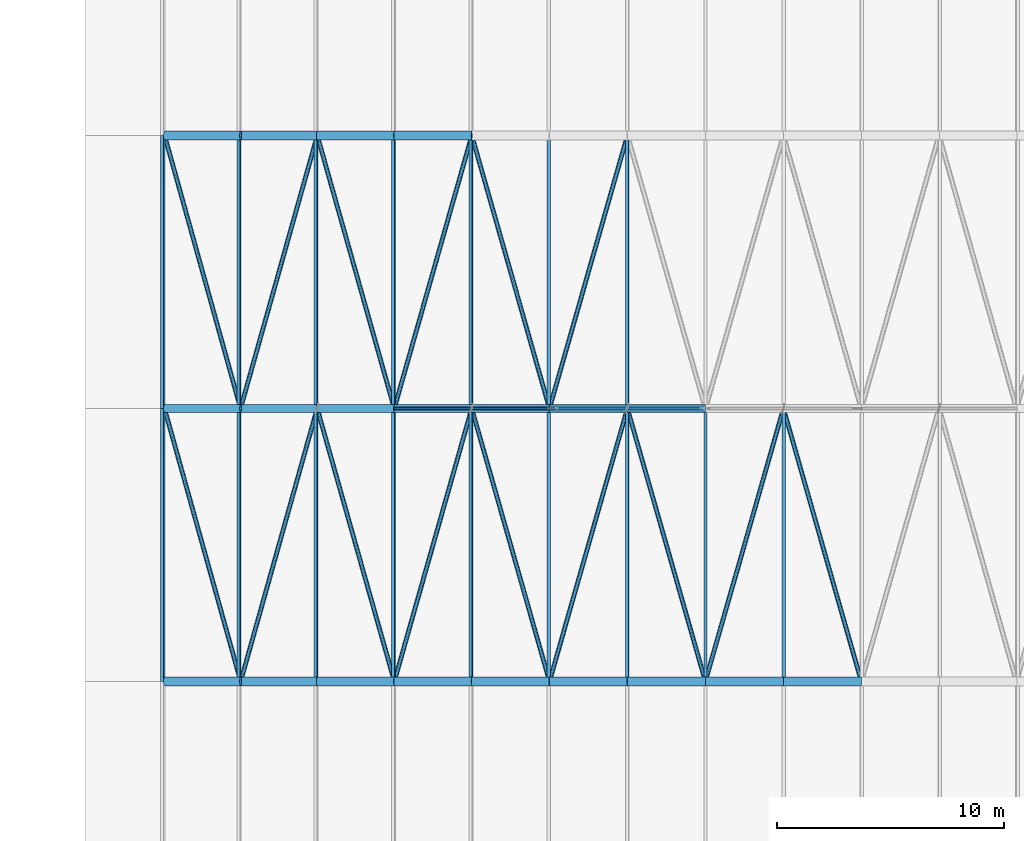
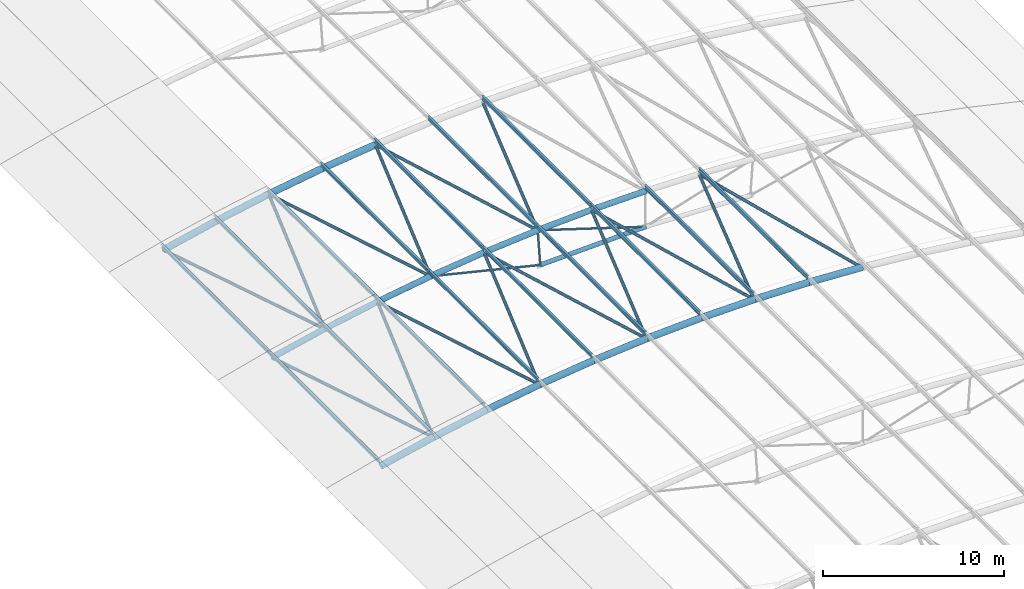
# One storey, part 12 of 91: 55 members.
"""IFC4 building model written with IfcOpenShell, lengths in metres."""

from ifc_helpers import new_model, si_unit, direction, frame, origin, origin_2d, place, context, subcontext, project, spatial, hollow_circle, i_section, extrude, material, material_profile, profile_set, type_object, element, save


model = new_model("IFC4")

# Units and contexts
model_context = context("Model", 3, precision=1e-05, world=origin(), true_north=direction((0.0, 1.0)))
body_context = subcontext(model_context, "Body", "Model", "MODEL_VIEW")
ifc_project = project(units=[si_unit("LENGTHUNIT", "METRE"), si_unit("AREAUNIT", "SQUARE_METRE"), si_unit("VOLUMEUNIT", "CUBIC_METRE"), si_unit("PLANEANGLEUNIT", "RADIAN"), si_unit("MASSUNIT", "GRAM", prefix="KILO")], contexts=[model_context])

# Site, building, storey
site_placement = place(None, origin())
site = spatial("IfcSite", under=ifc_project, at=site_placement, CompositionType="ELEMENT")
building_placement = place(site_placement, origin())
building = spatial("IfcBuilding", under=site, at=building_placement, Name="Ravi Spectrum Wholesale Market", CompositionType="ELEMENT")
storey_placement = place(building_placement, frame((0.0, 0.0, 16.199951171875)))
storey = spatial("IfcBuildingStorey", under=building, at=storey_placement, Name="ROOF PLANT LEVEL", CompositionType="ELEMENT", Elevation=16.199951171875)

# Members
ifc_material_1 = material(Name="Steel S355", Category="steel")
ifc_material_profile_1 = material_profile(ifc_material_1, hollow_circle(Radius=0.06982421875, WallThickness=0.0048828125, at=origin_2d()))
ifc_profile_set_1 = profile_set([ifc_material_profile_1], Name="Steel S355")
member_type_1 = type_object("IfcMemberType", Name="CHS 139.7x5 brace", PredefinedType="BRACE", material=ifc_profile_set_1)
member_1_placement = place(storey_placement, frame((56.318115234375, 114.0, 2.079833984375), z_axis=(0.97214359809, 0.0, -0.234386059083), x_axis=(0.0, 1.0, 0.0)))
element("IfcMember", 1, at=member_1_placement, inside=storey, type_object=member_type_1, Name="H1-MB-L02-636", PredefinedType="BRACE", context=body_context, shape_type="SweptSolid", body=[
    extrude(hollow_circle(Radius=0.06982421875, WallThickness=0.0048828125, at=origin_2d()), origin(), (0.0, 0.0, 1.0), 7.190185546875),
])
member_2_placement = place(storey_placement, frame((63.142822265625, 114.0, 2.788818359375), z_axis=(0.953666273238, 0.0, -0.300866480833), x_axis=(0.0, 1.0, 0.0)))
element("IfcMember", 2, at=member_2_placement, inside=storey, type_object=member_type_1, Name="H1-MB-L02-637", PredefinedType="BRACE", context=body_context, shape_type="SweptSolid", body=[
    extrude(hollow_circle(Radius=0.06982421875, WallThickness=0.0048828125, at=origin_2d()), origin(), (0.0, 0.0, 1.0), 7.1904296875),
])
ifc_material_2 = material(Name="Steel S355", Category="steel")
ifc_material_profile_2 = material_profile(ifc_material_2, hollow_circle(Radius=0.06982421875, WallThickness=0.0048828125, at=origin_2d()))
ifc_profile_set_2 = profile_set([ifc_material_profile_2], Name="Steel S355")
member_type_2 = type_object("IfcMemberType", Name="CHS 139.7x5 post", PredefinedType="POST", material=ifc_profile_set_2)
member_3_placement = place(storey_placement, frame((63.142822265625, 114.0, 2.788818359375), z_axis=(0.068868423963, 0.0, -0.997625751563), x_axis=(0.0, 1.0, 0.0)))
element("IfcMember", 3, at=member_3_placement, inside=storey, type_object=member_type_2, Name="H1-MB-L02-626", PredefinedType="POST", context=body_context, shape_type="SweptSolid", body=[
    extrude(hollow_circle(Radius=0.06982421875, WallThickness=0.0048828125, at=origin_2d()), origin(), (0.0, 0.0, 1.0), 2.39990234375),
])
ifc_material_3 = material(Name="Steel S355", Category="steel")
ifc_material_profile_3 = material_profile(ifc_material_3, hollow_circle(Radius=0.096923828125, WallThickness=0.00634765625, at=origin_2d()))
ifc_profile_set_3 = profile_set([ifc_material_profile_3], Name="Steel S355")
member_type_3 = type_object("IfcMemberType", Name="CHS 193.7x6.3 brace", PredefinedType="BRACE", material=ifc_profile_set_3)
for number, where, z_axis, x_axis, name in (
    (4, (46.213134765625, 114.0, 0.13916015625), (0.268458266113, -0.961473382103, 0.059153147532), (0.963159952785, 0.26892918278, 0.0), "H1-MB-L02-1637"),
    (5, (49.563720703125, 102.0, 0.87744140625), (0.269573425524, 0.961473986747, 0.053832527904), (-0.962870169495, 0.269964880489, 0.0), "H1-MB-L02-1638"),
):
    element("IfcMember", number, at=place(storey_placement, frame(where, z_axis=z_axis, x_axis=x_axis)), inside=storey, type_object=member_type_3, Name=name, PredefinedType="BRACE", context=body_context, shape_type="SweptSolid", body=[
        extrude(hollow_circle(Radius=0.096923828125, WallThickness=0.00634765625, at=origin_2d()), origin(), (0.0, 0.0, 1.0), 12.48095703125),
    ])
member_4_placement = place(storey_placement, frame((52.92822265625, 114.0, 1.54931640625), z_axis=(0.271882814956, -0.961478100635, 0.040491936611), x_axis=(0.962267289503, 0.272105978532, 0.0)))
element("IfcMember", 6, at=member_4_placement, inside=storey, type_object=member_type_3, Name="H1-MB-L02-1639", PredefinedType="BRACE", context=body_context, shape_type="SweptSolid", body=[
    extrude(hollow_circle(Radius=0.096923828125, WallThickness=0.00634765625, at=origin_2d()), origin(), (0.0, 0.0, 1.0), 12.480712890625),
])
member_5_placement = place(storey_placement, frame((56.321533203125, 102.0, 2.0546875), z_axis=(0.272644331553, 0.961473251867, 0.035131957201), x_axis=(-0.962067152996, 0.272812743702, 0.0)))
element("IfcMember", 7, at=member_5_placement, inside=storey, type_object=member_type_3, Name="H1-MB-L02-1640", PredefinedType="BRACE", context=body_context, shape_type="SweptSolid", body=[
    extrude(hollow_circle(Radius=0.096923828125, WallThickness=0.00634765625, at=origin_2d()), origin(), (0.0, 0.0, 1.0), 12.48095703125),
])
for number, where, z_axis, x_axis, name in (
    (8, (59.724365234375, 114.0, 2.4931640625), (0.274034013599, -0.9614761822, 0.021654340285), (0.961701684624, 0.27409828491, 0.0), "H1-MB-L02-1641"),
    (9, (63.14453125, 102.0, 2.763427734375), (0.274405792689, 0.961476584134, 0.016255432972), (-0.961603639168, 0.274442054245, 0.0), "H1-MB-L02-1642"),
    (10, (66.5693359375, 114.0, 2.96630859375), (0.274875137304, -0.961476142098, 0.002699456942), (0.961479645288, 0.274876138826, 0.0), "H1-MB-L02-1643"),
    (11, (70.0, 102.0, 3.0), (0.274875137304, 0.961476142098, -0.002699456942), (-0.961479645288, 0.274876138826, 0.0), "H1-MB-L02-1644"),
    (12, (73.4306640625, 114.0, 2.96630859375), (0.274405792689, -0.961476584134, -0.016255432972), (0.961603639168, 0.274442054245, 0.0), "H1-MB-L02-1645"),
):
    element("IfcMember", number, at=place(storey_placement, frame(where, z_axis=z_axis, x_axis=x_axis)), inside=storey, type_object=member_type_3, Name=name, PredefinedType="BRACE", context=body_context, shape_type="SweptSolid", body=[
        extrude(hollow_circle(Radius=0.096923828125, WallThickness=0.00634765625, at=origin_2d()), origin(), (0.0, 0.0, 1.0), 12.480712890625),
    ])
member_6_placement = place(storey_placement, frame((46.21923828125, 126.0, 0.114501953125), z_axis=(0.267558016602, -0.961471825707, 0.063123974234), x_axis=(0.963393127067, 0.268092675619, 0.0)))
element("IfcMember", 13, at=member_6_placement, inside=storey, type_object=member_type_3, Name="H1-MB-L02-1661", PredefinedType="BRACE", context=body_context, shape_type="SweptSolid", body=[
    extrude(hollow_circle(Radius=0.096923828125, WallThickness=0.00634765625, at=origin_2d()), origin(), (0.0, 0.0, 1.0), 12.48095703125),
])
for number, where, z_axis, x_axis, name in (
    (14, (49.55859375, 114.0, 0.90234375), (0.270336560063, 0.961474862535, 0.049842080683), (-0.962671356068, 0.270672976499, 0.0), "H1-MB-L02-1662"),
    (15, (52.9326171875, 126.0, 1.5244140625), (0.271256737802, -0.961477693548, 0.044501988786), (0.962431178207, 0.271525739506, 0.0), "H1-MB-L02-1663"),
    (16, (56.318115234375, 114.0, 2.079833984375), (0.273115259603, 0.961478387049, 0.0311025113), (-0.961943775579, 0.273247456759, 0.0), "H1-MB-L02-1664"),
):
    element("IfcMember", number, at=place(storey_placement, frame(where, z_axis=z_axis, x_axis=x_axis)), inside=storey, type_object=member_type_3, Name=name, PredefinedType="BRACE", context=body_context, shape_type="SweptSolid", body=[
        extrude(hollow_circle(Radius=0.096923828125, WallThickness=0.00634765625, at=origin_2d()), origin(), (0.0, 0.0, 1.0), 12.480712890625),
    ])
member_7_placement = place(storey_placement, frame((59.726806640625, 126.0, 2.468017578125), z_axis=(0.273700155863, -0.961471559533, 0.025703402287), x_axis=(0.961789322244, 0.273790612729, 0.0)))
element("IfcMember", 17, at=member_7_placement, inside=storey, type_object=member_type_3, Name="H1-MB-L02-1665", PredefinedType="BRACE", context=body_context, shape_type="SweptSolid", body=[
    extrude(hollow_circle(Radius=0.096923828125, WallThickness=0.00634765625, at=origin_2d()), origin(), (0.0, 0.0, 1.0), 12.48095703125),
])
member_8_placement = place(storey_placement, frame((63.142822265625, 114.0, 2.788818359375), z_axis=(0.274620635621, 0.961475424321, 0.012186669705), x_axis=(-0.961546828996, 0.274641030523, 0.0)))
element("IfcMember", 18, at=member_8_placement, inside=storey, type_object=member_type_3, Name="H1-MB-L02-1666", PredefinedType="BRACE", context=body_context, shape_type="SweptSolid", body=[
    extrude(hollow_circle(Radius=0.096923828125, WallThickness=0.00634765625, at=origin_2d()), origin(), (0.0, 0.0, 1.0), 12.480712890625),
])
ifc_material_4 = material(Name="Steel S355", Category="steel")
ifc_material_profile_4 = material_profile(ifc_material_4, hollow_circle(Radius=0.136474609375, WallThickness=0.010009765625, at=origin_2d()))
ifc_profile_set_4 = profile_set([ifc_material_profile_4], Name="Steel S355")
member_type_4 = type_object("IfcMemberType", Name="CHS 273x10 chord", PredefinedType="CHORD", material=ifc_profile_set_4)
member_9_placement = place(storey_placement, frame((63.30810546875, 114.0, 0.39453125), z_axis=(0.999404959621, 0.0, 0.034492414878), x_axis=(0.0, 1.0, 0.0)))
element("IfcMember", 19, at=member_9_placement, inside=storey, type_object=member_type_4, Name="H1-MB-L02-615", PredefinedType="CHORD", context=body_context, shape_type="SweptSolid", body=[
    extrude(hollow_circle(Radius=0.136474609375, WallThickness=0.010009765625, at=origin_2d()), origin(), (0.0, 0.0, 1.0), 6.69580078125),
])
ifc_material_5 = material(Name="Steel S355", Category="steel")
ifc_material_profile_5 = material_profile(ifc_material_5, hollow_circle(Radius=0.177734375, WallThickness=0.012451171875, at=origin_2d()))
ifc_profile_set_5 = profile_set([ifc_material_profile_5], Name="Steel S355")
member_type_5 = type_object("IfcMemberType", Name="CHS 355.6x12.5 chord", PredefinedType="CHORD", material=ifc_profile_set_5)
member_10_placement = place(storey_placement, frame((46.213134765625, 114.0, 0.13916015625), z_axis=(0.974952916083, 0.0, 0.222411356322), x_axis=(0.0, 1.0, 0.0)))
element("IfcMember", 20, at=member_10_placement, inside=storey, type_object=member_type_5, Name="H1-MB-L02-591", PredefinedType="CHORD", context=body_context, shape_type="SweptSolid", body=[
    extrude(hollow_circle(Radius=0.177734375, WallThickness=0.012451171875, at=origin_2d()), origin(), (0.0, 0.0, 1.0), 3.431396484375),
])
for number, where, z_axis, x_axis, name in (
    (21, (49.55859375, 114.0, 0.90234375), (0.982062230733, 0.0, 0.188557086759), (0.0, 1.0, 0.0), "H1-MB-L02-592"),
    (22, (52.92822265625, 114.0, 1.54931640625), (0.987974358509, 0.0, 0.154617809221), (0.0, 1.0, 0.0), "H1-MB-L02-593"),
    (23, (56.318115234375, 114.0, 2.079833984375), (0.992718062095, 0.0, 0.120460986176), (0.0, 1.0, 0.0), "H1-MB-L02-594"),
    (24, (59.724365234375, 114.0, 2.4931640625), (0.996280795756, 0.0, 0.086165979407), (0.0, 1.0, 0.0), "H1-MB-L02-595"),
    (25, (63.142822265625, 114.0, 2.788818359375), (0.998661121681, 0.0, 0.051729721087), (0.0, 1.0, 0.0), "H1-MB-L02-596"),
    (26, (66.5693359375, 114.0, 2.96630859375), (0.99985173868, 0.0, 0.017219194475), (0.0, 1.0, 0.0), "H1-MB-L02-597"),
):
    element("IfcMember", number, at=place(storey_placement, frame(where, z_axis=z_axis, x_axis=x_axis)), inside=storey, type_object=member_type_5, Name=name, PredefinedType="CHORD", context=body_context, shape_type="SweptSolid", body=[
        extrude(hollow_circle(Radius=0.177734375, WallThickness=0.012451171875, at=origin_2d()), origin(), (0.0, 0.0, 1.0), 3.43115234375),
    ])
ifc_material_6 = material(Name="Steel S355", Category="steel")
ifc_material_profile_6 = material_profile(ifc_material_6, hollow_circle(Radius=0.203125, WallThickness=0.01611328125, at=origin_2d()))
ifc_profile_set_6 = profile_set([ifc_material_profile_6], Name="Steel S355")
member_type_6 = type_object("IfcMemberType", Name="CHS 406.4x16 chord", PredefinedType="CHORD", material=ifc_profile_set_6)
for number, where, z_axis, x_axis, name in (
    (27, (46.21923828125, 102.0, 0.114501953125), (0.974954266394, 0.0, 0.222405437074), (0.0, 1.0, 0.0), "H1-MB-L02-492"),
    (28, (49.563720703125, 102.0, 0.87744140625), (0.982054639007, 0.0, 0.188596622463), (0.0, 1.0, 0.0), "H1-MB-L02-493"),
):
    element("IfcMember", number, at=place(storey_placement, frame(where, z_axis=z_axis, x_axis=x_axis)), inside=storey, type_object=member_type_6, Name=name, PredefinedType="CHORD", context=body_context, shape_type="SweptSolid", body=[
        extrude(hollow_circle(Radius=0.203125, WallThickness=0.01611328125, at=origin_2d()), origin(), (0.0, 0.0, 1.0), 3.430419921875),
    ])
for number, where, z_axis, x_axis, name in (
    (29, (52.9326171875, 102.0, 1.5244140625), (0.987978424514, 0.0, 0.154591826096), (0.0, 1.0, 0.0), "H1-MB-L02-494"),
    (30, (56.321533203125, 102.0, 2.0546875), (0.992713930418, 0.0, 0.120495030413), (0.0, 1.0, 0.0), "H1-MB-L02-495"),
):
    element("IfcMember", number, at=place(storey_placement, frame(where, z_axis=z_axis, x_axis=x_axis)), inside=storey, type_object=member_type_6, Name=name, PredefinedType="CHORD", context=body_context, shape_type="SweptSolid", body=[
        extrude(hollow_circle(Radius=0.203125, WallThickness=0.01611328125, at=origin_2d()), origin(), (0.0, 0.0, 1.0), 3.43017578125),
    ])
for number, where, z_axis, x_axis, name in (
    (31, (59.726806640625, 102.0, 2.468017578125), (0.99628531868, 0.0, 0.086113667805), (0.0, 1.0, 0.0), "H1-MB-L02-496"),
    (32, (63.14453125, 102.0, 2.763427734375), (0.998660550273, 0.0, 0.051740751144), (0.0, 1.0, 0.0), "H1-MB-L02-497"),
):
    element("IfcMember", number, at=place(storey_placement, frame(where, z_axis=z_axis, x_axis=x_axis)), inside=storey, type_object=member_type_6, Name=name, PredefinedType="CHORD", context=body_context, shape_type="SweptSolid", body=[
        extrude(hollow_circle(Radius=0.203125, WallThickness=0.01611328125, at=origin_2d()), origin(), (0.0, 0.0, 1.0), 3.430419921875),
    ])
for number, where, z_axis, x_axis, name in (
    (33, (66.5703125, 102.0, 2.94091796875), (0.999851654256, 0.0, 0.01722409598), (0.0, 1.0, 0.0), "H1-MB-L02-498"),
    (34, (70.0, 102.0, 3.0), (0.999851654256, 0.0, -0.01722409598), (0.0, 1.0, 0.0), "H1-MB-L02-499"),
):
    element("IfcMember", number, at=place(storey_placement, frame(where, z_axis=z_axis, x_axis=x_axis)), inside=storey, type_object=member_type_6, Name=name, PredefinedType="CHORD", context=body_context, shape_type="SweptSolid", body=[
        extrude(hollow_circle(Radius=0.203125, WallThickness=0.01611328125, at=origin_2d()), origin(), (0.0, 0.0, 1.0), 3.43017578125),
    ])
for number, where, z_axis, x_axis, name in (
    (35, (73.4296875, 102.0, 2.94091796875), (0.998660550273, 0.0, -0.051740751144), (0.0, 1.0, 0.0), "H1-MB-L02-500"),
    (36, (46.21923828125, 126.0, 0.114501953125), (0.974954266394, 0.0, 0.222405437074), (0.0, 1.0, 0.0), "H1-MB-L02-654"),
    (37, (49.563720703125, 126.0, 0.87744140625), (0.982054639007, 0.0, 0.188596622463), (0.0, 1.0, 0.0), "H1-MB-L02-655"),
):
    element("IfcMember", number, at=place(storey_placement, frame(where, z_axis=z_axis, x_axis=x_axis)), inside=storey, type_object=member_type_6, Name=name, PredefinedType="CHORD", context=body_context, shape_type="SweptSolid", body=[
        extrude(hollow_circle(Radius=0.203125, WallThickness=0.01611328125, at=origin_2d()), origin(), (0.0, 0.0, 1.0), 3.430419921875),
    ])
for number, where, z_axis, x_axis, name in (
    (38, (52.9326171875, 126.0, 1.5244140625), (0.987978424514, 0.0, 0.154591826096), (0.0, 1.0, 0.0), "H1-MB-L02-656"),
    (39, (56.321533203125, 126.0, 2.0546875), (0.992713930418, 0.0, 0.120495030413), (0.0, 1.0, 0.0), "H1-MB-L02-657"),
):
    element("IfcMember", number, at=place(storey_placement, frame(where, z_axis=z_axis, x_axis=x_axis)), inside=storey, type_object=member_type_6, Name=name, PredefinedType="CHORD", context=body_context, shape_type="SweptSolid", body=[
        extrude(hollow_circle(Radius=0.203125, WallThickness=0.01611328125, at=origin_2d()), origin(), (0.0, 0.0, 1.0), 3.43017578125),
    ])
ifc_material_7 = material(Name="Steel S355", Category="steel")
ifc_material_profile_7 = material_profile(ifc_material_7, i_section(OverallWidth=0.135009765625, OverallDepth=0.27001953125, WebThickness=0.006591796875, FlangeThickness=0.01025390625, at=origin_2d()))
ifc_profile_set_7 = profile_set([ifc_material_profile_7], Name="Steel S355")
member_type_7 = type_object("IfcMemberType", Name="IPE 270 purlin", PredefinedType="PURLIN", material=ifc_profile_set_7)
for number, where, z_axis, x_axis, name in (
    (40, (46.138427734375, 102.0, 0.44287109375), (0.0, 1.0, 0.0), (-0.970982506107, 0.0, -0.239150523382), "H1-MB-L02-1389"),
    (41, (49.494140625, 102.0, 1.208251953125), (0.0, 1.0, 0.0), (-0.978653497036, 0.0, -0.205517232221), "H1-MB-L02-1390"),
    (42, (52.87451171875, 102.0, 1.857666015625), (0.0, 1.0, 0.0), (-0.985159848831, 0.0, -0.171639366844), "H1-MB-L02-1391"),
    (43, (56.275146484375, 102.0, 2.3896484375), (0.0, 1.0, 0.0), (-0.99049381866, 0.0, -0.137557243347), "H1-MB-L02-1392"),
    (44, (59.69189453125, 102.0, 2.804443359375), (0.0, 1.0, 0.0), (-0.994649057067, 0.0, -0.103311438261), "H1-MB-L02-1393"),
    (45, (63.12109375, 102.0, 3.100830078125), (0.0, 1.0, 0.0), (-0.997620623348, 0.0, -0.068942670899), "H1-MB-L02-1394"),
    (46, (66.55859375, 102.0, 3.27880859375), (0.0, 1.0, 0.0), (-0.999404978812, 0.0, -0.034491858836), "H1-MB-L02-1395"),
    (47, (70.0, 102.0, 3.338134765625), (0.0, 1.0, 0.0), (-1.0, 0.0, 0.0), "H1-MB-L02-1396"),
    (48, (73.44140625, 102.0, 3.27880859375), (0.0, 1.0, 0.0), (-0.999404978812, 0.0, 0.034491858836), "H1-MB-L02-1397"),
    (49, (46.138427734375, 114.0, 0.44287109375), (0.0, 1.0, 0.0), (-0.970982506107, 0.0, -0.239150523382), "H1-MB-L02-1414"),
    (50, (49.494140625, 114.0, 1.208251953125), (0.0, 1.0, 0.0), (-0.978653497036, 0.0, -0.205517232221), "H1-MB-L02-1415"),
    (51, (52.87451171875, 114.0, 1.857666015625), (0.0, 1.0, 0.0), (-0.985159848831, 0.0, -0.171639366844), "H1-MB-L02-1416"),
    (52, (56.275146484375, 114.0, 2.3896484375), (0.0, 1.0, 0.0), (-0.99049381866, 0.0, -0.137557243347), "H1-MB-L02-1417"),
    (53, (59.69189453125, 114.0, 2.804443359375), (0.0, 1.0, 0.0), (-0.994649057067, 0.0, -0.103311438261), "H1-MB-L02-1418"),
    (54, (63.12109375, 114.0, 3.100830078125), (0.0, 1.0, 0.0), (-0.997620623348, 0.0, -0.068942670899), "H1-MB-L02-1419"),
    (55, (66.55859375, 114.0, 3.27880859375), (0.0, 1.0, 0.0), (-0.999404978812, 0.0, -0.034491858836), "H1-MB-L02-1420"),
):
    element("IfcMember", number, at=place(storey_placement, frame(where, z_axis=z_axis, x_axis=x_axis)), inside=storey, type_object=member_type_7, Name=name, PredefinedType="PURLIN", context=body_context, shape_type="SweptSolid", body=[
        extrude(i_section(OverallWidth=0.135009765625, OverallDepth=0.27001953125, WebThickness=0.006591796875, FlangeThickness=0.01025390625, at=origin_2d()), origin(), (0.0, 0.0, 1.0), 12.0),
    ])

save(model, "model.ifc")
